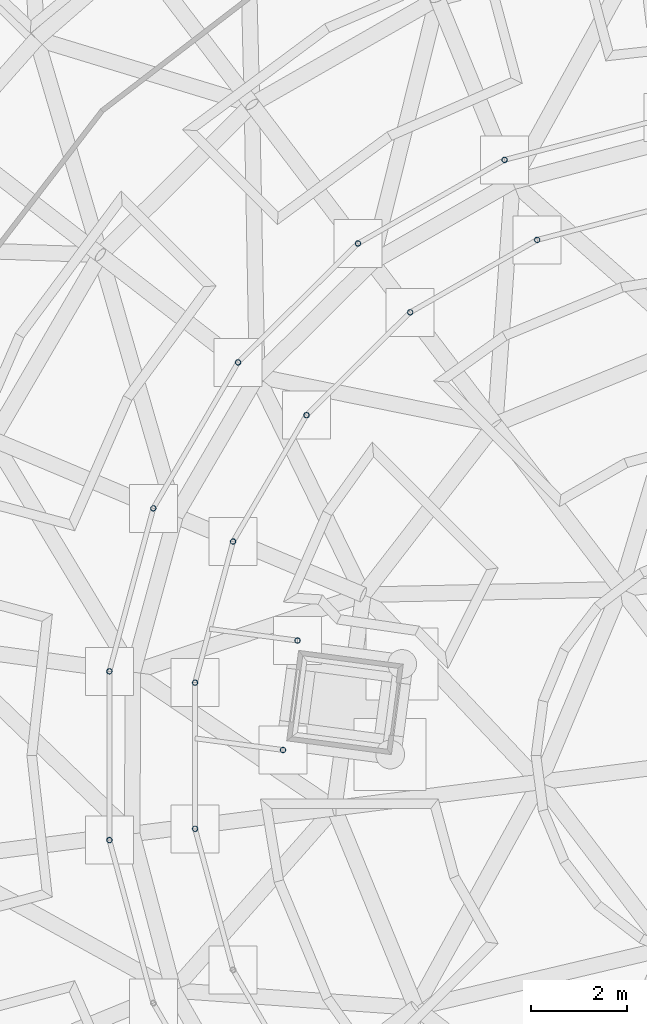
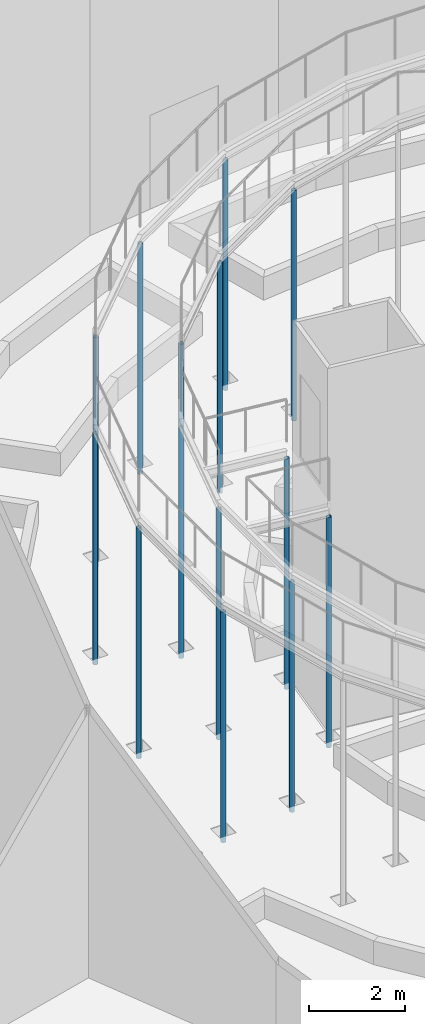
# One storey, part 28 of 226: 14 columns.
"""IFC4 building model written with IfcOpenShell, lengths in metres."""

from ifc_helpers import new_model, si_unit, direction, frame, origin, origin_2d, place, context, subcontext, project, spatial, hollow_circle, extrude, material, material_profile, profile_set, type_object, element, save


model = new_model("IFC4")

# Units and contexts
model_context = context("Model", 3, precision=1e-05, world=origin(), true_north=direction((0.0, 1.0)))
body_context = subcontext(model_context, "Body", "Model", "MODEL_VIEW")
ifc_project = project(units=[si_unit("LENGTHUNIT", "METRE"), si_unit("AREAUNIT", "SQUARE_METRE"), si_unit("VOLUMEUNIT", "CUBIC_METRE"), si_unit("PLANEANGLEUNIT", "RADIAN"), si_unit("MASSUNIT", "GRAM", prefix="KILO")], contexts=[model_context])

# Site, building, storey
site_placement = place(None, origin())
site = spatial("IfcSite", under=ifc_project, at=site_placement, CompositionType="ELEMENT")
building_placement = place(site_placement, origin())
building = spatial("IfcBuilding", under=site, at=building_placement, Name="Ceibo Conservatory and Research Tower", CompositionType="ELEMENT")
storey_placement = place(building_placement, origin())
storey = spatial("IfcBuildingStorey", under=building, at=storey_placement, Name="L00", CompositionType="ELEMENT", Elevation=0.0)

# Columns
ifc_material = material(Name="Steel ASTM A500 Gr C", Category="steel")
ifc_material_profile = material_profile(ifc_material, hollow_circle(Radius=0.05712890625, WallThickness=0.006103515625, at=origin_2d()), Name="CHS column 114.3x6.02")
ifc_profile_set = profile_set([ifc_material_profile], Name="Steel ASTM A500 Gr C")
column_type = type_object("IfcColumnType", Name="CHS column 114.3x6.02", PredefinedType="COLUMN", material=ifc_profile_set)
for number, where, z_axis, x_axis, name in (
    (1, (150.947021484375, 120.41064453125, -0.25), (0.0, 0.0, 1.0), (1.0, 0.0, 0.0), "Walkway column WK-C03O"),
    (2, (151.625732421875, 118.74365234375, -0.25), (0.0, 0.0, 1.0), (1.0, 0.0, 0.0), "Walkway column WK-C03I"),
    (3, (147.892578125, 118.669189453125, -0.25), (0.0, 0.0, 1.0), (1.0, 0.0, 0.0), "Walkway column WK-C04O"),
    (4, (148.981689453125, 117.236083984375, -0.25), (0.0, 0.0, 1.0), (1.0, 0.0, 0.0), "Walkway column WK-C04I"),
    (5, (145.396484375, 116.193115234375, -0.25), (0.0, 0.0, 1.0), (1.0, 0.0, 0.0), "Walkway column WK-C05O"),
    (6, (146.82080078125, 115.092529296875, -0.25), (0.0, 0.0, 1.0), (1.0, 0.0, 0.0), "Walkway column WK-C05I"),
    (7, (143.63037109375, 113.15283203125, -0.25), (0.0, 0.0, 1.0), (1.0, 0.0, 0.0), "Walkway column WK-C06O"),
    (8, (145.2919921875, 112.460693359375, -0.25), (0.0, 0.0, 1.0), (1.0, 0.0, 0.0), "Walkway column WK-C06I"),
    (9, (142.7158203125, 109.758056640625, -0.25), (0.0, 0.0, 1.0), (1.0, 0.0, 0.0), "Walkway column WK-C07O"),
    (10, (144.500244140625, 109.521728515625, -0.25), (0.0, 0.0, 1.0), (1.0, 0.0, 0.0), "Walkway column WK-C07I"),
    (11, (142.7158203125, 106.241943359375, -0.25), (0.0, 0.0, 1.0), (1.0, 0.0, 0.0), "Walkway column WK-C08O"),
    (12, (144.500244140625, 106.478271484375, -0.25), (0.0, 0.0, 1.0), (1.0, 0.0, 0.0), "Walkway column WK-C08I"),
    (13, (146.6337890625, 110.3994140625, -0.25), (0.0, 0.0, 1.0), (1.0, 0.0, 0.0), "Walkway column WK-PSL"),
    (14, (146.33203125, 108.119384765625, -0.25), (0.0, 0.0, 1.0), (1.0, 0.0, 0.0), "Walkway column WK-PSR"),
):
    element("IfcColumn", number, at=place(storey_placement, frame(where, z_axis=z_axis, x_axis=x_axis)), inside=storey, type_object=column_type, Name=name, PredefinedType="COLUMN", context=body_context, shape_type="SweptSolid", body=[
        extrude(hollow_circle(Radius=0.05712890625, WallThickness=0.006103515625, at=origin_2d()), origin(), (0.0, 0.0, 1.0), 5.85009765625),
    ])

save(model, "model.ifc")
